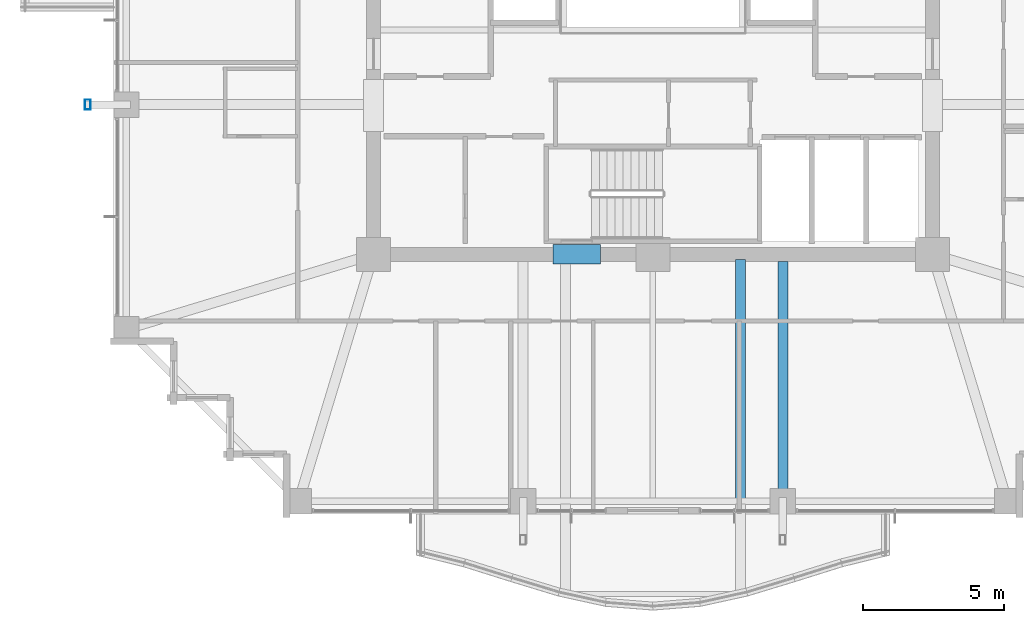
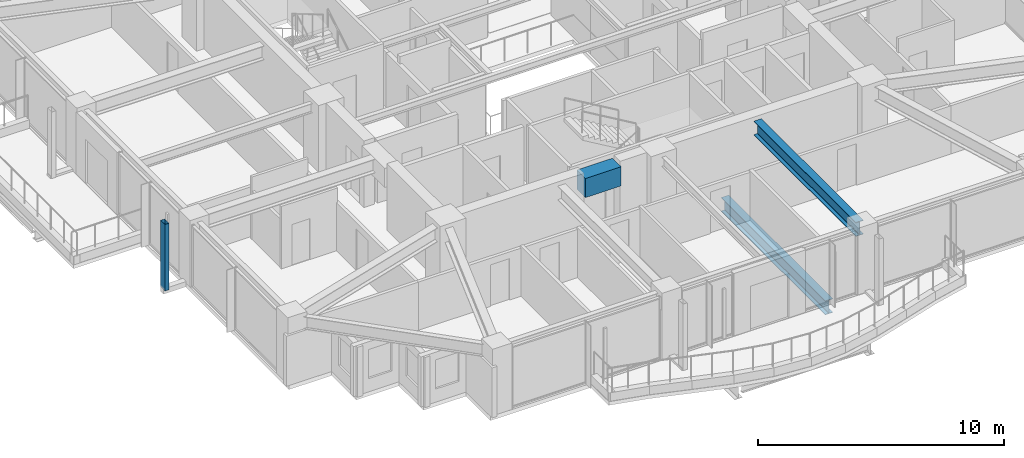
# One storey, part 7 of 34: 3 beams, 1 member.
"""IFC4 building model written with IfcOpenShell, lengths in metres."""

from ifc_helpers import new_model, si_unit, direction, frame, origin, origin_2d, place, context, subcontext, project, spatial, rectangle, hollow_rectangle, i_section, extrude, material, material_profile, profile_set, type_object, element, save


model = new_model("IFC4")

# Units and contexts
model_context = context("Model", 3, precision=1e-05, world=origin(), true_north=direction((0.0, 1.0)))
body_context = subcontext(model_context, "Body", "Model", "MODEL_VIEW")
ifc_project = project(units=[si_unit("LENGTHUNIT", "METRE"), si_unit("AREAUNIT", "SQUARE_METRE"), si_unit("VOLUMEUNIT", "CUBIC_METRE"), si_unit("PLANEANGLEUNIT", "RADIAN"), si_unit("MASSUNIT", "GRAM", prefix="KILO")], contexts=[model_context])

# Site, building, storey
site_placement = place(None, origin())
site = spatial("IfcSite", under=ifc_project, at=site_placement, CompositionType="ELEMENT")
building_placement = place(site_placement, origin())
building = spatial("IfcBuilding", under=site, at=building_placement, Name="Kolvaren Belvedere", CompositionType="ELEMENT")
storey_placement = place(building_placement, frame((0.0, 0.0, 166.800048828125)))
storey = spatial("IfcBuildingStorey", under=building, at=storey_placement, Name="L48", CompositionType="ELEMENT", Elevation=166.800048828125)

# Beams
ifc_material_1 = material(Name="Structural steel ASTM A992 Grade 50", Category="steel")
ifc_material_profile_1 = material_profile(ifc_material_1, i_section(OverallWidth=0.35498046875, OverallDepth=0.696044921875, WebThickness=0.015380859375, FlangeThickness=0.02490234375, FilletRadius=0.02197265625, at=origin_2d()), Name="W27X146")
ifc_profile_set_1 = profile_set([ifc_material_profile_1], Name="Structural steel ASTM A992 Grade 50")
beam_type_1 = type_object("IfcBeamType", Name="BM-GIRD-W27X146", PredefinedType="BEAM", material=ifc_profile_set_1)
beam_1_placement = place(storey_placement, frame((3.10009765625, -10.090087890625, -0.548095703125), z_axis=(0.0, -1.0, 0.0), x_axis=(1.0, 0.0, 0.0)))
element("IfcBeam", 1, at=beam_1_placement, inside=storey, type_object=beam_type_1, Name="L48 Balcony Interior Back-Span Girder BAL-S-2", PredefinedType="BEAM", context=body_context, shape_type="SweptSolid", body=[
    extrude(i_section(OverallWidth=0.35498046875, OverallDepth=0.696044921875, WebThickness=0.015380859375, FlangeThickness=0.02490234375, FilletRadius=0.02197265625, at=origin_2d()), origin(), (0.0, 0.0, 1.0), 8.46484375),
])
beam_2_placement = place(storey_placement, frame((4.60009765625, -10.14990234375, 2.751953125), z_axis=(0.0, -1.0, 0.0), x_axis=(1.0, 0.0, 0.0)))
element("IfcBeam", 2, at=beam_2_placement, inside=storey, type_object=beam_type_1, Name="L48 South Radial Girder P", PredefinedType="BEAM", context=body_context, shape_type="SweptSolid", body=[
    extrude(i_section(OverallWidth=0.35498046875, OverallDepth=0.696044921875, WebThickness=0.015380859375, FlangeThickness=0.02490234375, FilletRadius=0.02197265625, at=origin_2d()), origin(), (0.0, 0.0, 1.0), 8.297607421875),
])
ifc_material_2 = material(Name="Concrete C60/75", Category="concrete")
ifc_material_profile_2 = material_profile(ifc_material_2, rectangle(XDim=0.699951171875, YDim=0.949951171875, at=origin_2d()), Name="RC 700X950")
ifc_profile_set_2 = profile_set([ifc_material_profile_2], Name="Concrete C60/75")
beam_type_2 = type_object("IfcBeamType", Name="BM-LINT-950", PredefinedType="LINTEL", material=ifc_profile_set_2)
beam_3_placement = place(storey_placement, frame((-3.5400390625, -9.89990234375, 2.625), z_axis=(1.0, 0.0, 0.0), x_axis=(0.0, 1.0, 0.0)))
element("IfcBeam", 3, at=beam_3_placement, inside=storey, type_object=beam_type_2, Name="L48 South Core Coupling Lintel", PredefinedType="LINTEL", context=body_context, shape_type="SweptSolid", body=[
    extrude(rectangle(XDim=0.699951171875, YDim=0.949951171875, at=origin_2d()), origin(), (0.0, 0.0, 1.0), 1.679931640625),
])

# Member
ifc_material_3 = material(Name="Anodised pale-metal aluminium AA 6063-T6", Category="aluminium")
ifc_material_profile_3 = material_profile(ifc_material_3, hollow_rectangle(XDim=0.199951171875, YDim=0.35009765625, WallThickness=0.007568359375, at=origin_2d()), Name="ALU-PF-350X200")
ifc_profile_set_3 = profile_set([ifc_material_profile_3], Name="Anodised pale-metal aluminium AA 6063-T6")
member_type = type_object("IfcMemberType", Name="PF-FRAME-350", PredefinedType="USERDEFINED", material=ifc_profile_set_3)
member_placement = place(storey_placement, frame((-20.02001953125, -4.60009765625, 0.0), z_axis=(0.0, 0.0, 1.0), x_axis=(1.0, 0.0, 0.0)))
element("IfcMember", 4, at=member_placement, inside=storey, type_object=member_type, Name="L48 Outboard Picture-Frame Vertical W1", ObjectType="PICTURE FRAME FIN", PredefinedType="USERDEFINED", context=body_context, shape_type="SweptSolid", body=[
    extrude(hollow_rectangle(XDim=0.199951171875, YDim=0.35009765625, WallThickness=0.007568359375, at=origin_2d()), origin(), (0.0, 0.0, 1.0), 3.300048828125),
])

save(model, "model.ifc")
